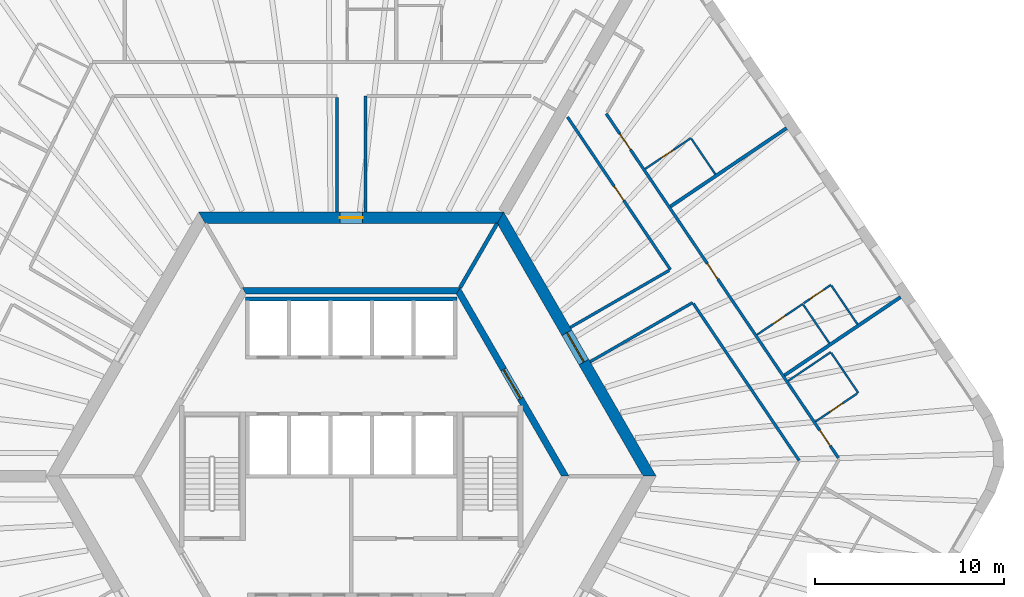
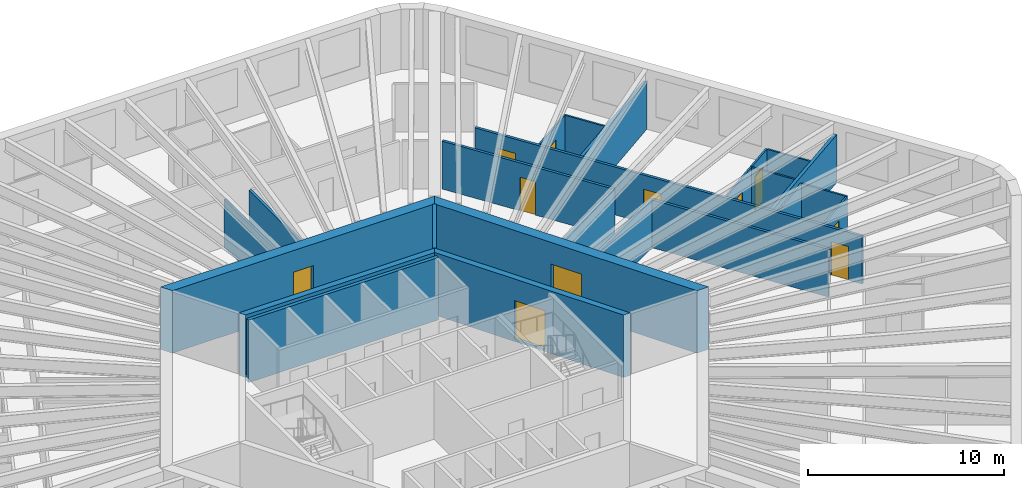
# One storey, part 9 of 12: 24 walls, 11 doors, 11 openings.
"""IFC4 building model written with IfcOpenShell, lengths in metres."""

from ifc_helpers import new_model, si_unit, direction, frame, frame_2d, origin, place, context, subcontext, project, spatial, polyline, rectangle, outline, extrude, material, layer, layer_set, type_object, element, fill, save


model = new_model("IFC4")

# Units and contexts
model_context = context("Model", 3, precision=1e-05, world=origin(), true_north=direction((0.0, 1.0)))
body_context = subcontext(model_context, "Body", "Model", "MODEL_VIEW")
ifc_project = project(units=[si_unit("LENGTHUNIT", "METRE"), si_unit("AREAUNIT", "SQUARE_METRE"), si_unit("VOLUMEUNIT", "CUBIC_METRE"), si_unit("PLANEANGLEUNIT", "RADIAN"), si_unit("MASSUNIT", "GRAM", prefix="KILO")], contexts=[model_context])

# Site, building, storey
site_placement = place(None, origin())
site = spatial("IfcSite", under=ifc_project, at=site_placement, CompositionType="ELEMENT")
building_placement = place(site_placement, origin())
building = spatial("IfcBuilding", under=site, at=building_placement, Name="Tarnside Tower", CompositionType="ELEMENT")
storey_placement = place(building_placement, frame((0.0, 0.0, 64.800048828125)))
storey = spatial("IfcBuildingStorey", under=building, at=storey_placement, Name="L13", CompositionType="ELEMENT", Elevation=64.800048828125)

# Walls
ifc_material_1 = material(Name="Gypsum board partition on steel studs", Category="steel")
ifc_layer_1 = layer(ifc_material_1, 0.10009765625)
ifc_layer_set_1 = layer_set([ifc_layer_1], Name="Bathroom wall 100")
wall_type_1 = type_object("IfcWallType", Name="Bathroom wall 100", PredefinedType="PARTITIONING", material=ifc_layer_set_1)
wall_1_placement = place(storey_placement, frame((23.15869140625, 5.052978515625, 0.0), z_axis=(0.0, 0.0, 1.0), x_axis=(0.829047014003, 0.559178905694, 0.0)))
element("IfcWall", 1, at=wall_1_placement, inside=storey, type_object=wall_type_1, Name="Bathroom wall 03138", PredefinedType="PARTITIONING", context=body_context, shape_type="SweptSolid", body=[
    extrude(rectangle(XDim=2.724853515625, YDim=0.10009765625, at=frame_2d((1.3623046875, 0.0))), origin(), (0.0, 0.0, 1.0), 2.98779296875),
])
wall_2_placement = place(storey_placement, frame((25.44580078125, 6.535400390625, 0.0), z_axis=(0.0, 0.0, 1.0), x_axis=(0.559176864802, -0.829048390548, 0.0)))
element("IfcWall", 2, at=wall_2_placement, inside=storey, type_object=wall_type_1, Name="Bathroom wall 03139", PredefinedType="PARTITIONING", context=body_context, shape_type="SweptSolid", body=[
    extrude(rectangle(XDim=2.55029296875, YDim=0.10009765625, at=frame_2d((1.275146484375, 0.0))), origin(), (0.0, 0.0, 1.0), 2.98779296875),
])

# Wall, opening, door
wall_3_placement = place(storey_placement, frame((26.830322265625, 4.393310546875, 0.0), z_axis=(0.0, 0.0, 1.0), x_axis=(-0.82904753069, -0.559178139645, 0.0)))
wall_3 = element("IfcWall", 3, at=wall_3_placement, inside=storey, type_object=wall_type_1, Name="Bathroom wall 03140", PredefinedType="PARTITIONING", context=body_context, shape_type="SweptSolid", body=[
    extrude(rectangle(XDim=2.675048828125, YDim=0.10009765625, at=frame_2d((1.33740234375, 0.0))), origin(), (0.0, 0.0, 1.0), 2.98779296875),
])
opening_1_placement = place(wall_3_placement, frame((0.949951171875, 0.0, 0.0)))
opening_1 = element("IfcOpeningElement", 4, at=opening_1_placement, cuts=wall_3, Name="Opening D-B1", PredefinedType="OPENING", context=body_context, shape_type="SweptSolid", body=[
    extrude(rectangle(XDim=0.800048828125, YDim=2.10009765625, at=frame_2d((0.39990234375, 1.050048828125))), frame((0.0, 0.06005859375, 0.0), z_axis=(0.0, -1.0, 0.0), x_axis=(1.0, 0.0, 0.0)), (0.0, 0.0, 1.0), 0.1201171875),
])
ifc_material_2 = material(Name="Timber door leaf", Category="wood")
door_type_1 = type_object("IfcDoorType", Name="Bathroom door 800", OperationType="NOTDEFINED", PredefinedType="DOOR", material=ifc_material_2)
door_1_placement = place(opening_1_placement, origin())
door_1 = element("IfcDoor", 5, at=door_1_placement, inside=storey, type_object=door_type_1, Name="Bathroom door 03033", OperationType="SINGLE_SWING_LEFT", OverallHeight=2.10009765625, OverallWidth=0.800048828125, PredefinedType="DOOR", context=body_context, shape_type="SweptSolid", body=[
    extrude(rectangle(XDim=0.800048828125, YDim=2.10009765625, at=frame_2d((0.39990234375, 1.050048828125))), frame((0.0, 0.02490234375, 0.0), z_axis=(0.0, -1.0, 0.0), x_axis=(1.0, 0.0, 0.0)), (0.0, 0.0, 1.0), 0.050048828125),
])
fill(opening_1, door_1)

wall_4_placement = place(storey_placement, frame((21.509033203125, 7.49853515625, 0.0), z_axis=(0.0, 0.0, 1.0), x_axis=(0.829033436212, 0.559199035802, 0.0)))
wall_4 = element("IfcWall", 6, at=wall_4_placement, inside=storey, type_object=wall_type_1, Name="Bathroom wall 03144", PredefinedType="PARTITIONING", context=body_context, shape_type="SweptSolid", body=[
    extrude(rectangle(XDim=2.925048828125, YDim=0.10009765625, at=frame_2d((1.46240234375, 0.0))), origin(), (0.0, 0.0, 1.0), 2.98779296875),
])
opening_2_placement = place(wall_4_placement, frame((1.02490234375, 0.0, 0.0)))
opening_2 = element("IfcOpeningElement", 7, at=opening_2_placement, cuts=wall_4, Name="Opening D-B1", PredefinedType="OPENING", context=body_context, shape_type="SweptSolid", body=[
    extrude(rectangle(XDim=0.800048828125, YDim=2.10009765625, at=frame_2d((0.39990234375, 1.050048828125))), frame((0.0, 0.06005859375, 0.0), z_axis=(0.0, -1.0, 0.0), x_axis=(1.0, 0.0, 0.0)), (0.0, 0.0, 1.0), 0.1201171875),
])
door_2_placement = place(opening_2_placement, origin())
door_2 = element("IfcDoor", 8, at=door_2_placement, inside=storey, type_object=door_type_1, Name="Bathroom door 03035", OperationType="SINGLE_SWING_RIGHT", OverallHeight=2.10009765625, OverallWidth=0.800048828125, PredefinedType="DOOR", context=body_context, shape_type="SweptSolid", body=[
    extrude(rectangle(XDim=0.800048828125, YDim=2.10009765625, at=frame_2d((0.39990234375, 1.050048828125))), frame((0.0, 0.02490234375, 0.0), z_axis=(0.0, -1.0, 0.0), x_axis=(1.0, 0.0, 0.0)), (0.0, 0.0, 1.0), 0.050048828125),
])
fill(opening_2, door_2)

# Wall
wall_5_placement = place(storey_placement, frame((25.337646484375, 7.053466796875, 0.0), z_axis=(0.0, 0.0, 1.0), x_axis=(-0.559249542518, 0.82899936622, 0.0)))
element("IfcWall", 9, at=wall_5_placement, inside=storey, type_object=wall_type_1, Name="Bathroom wall 03149", PredefinedType="PARTITIONING", context=body_context, shape_type="SweptSolid", body=[
    extrude(rectangle(XDim=2.4599609375, YDim=0.10009765625, at=frame_2d((1.22998046875, 0.0))), origin(), (0.0, 0.0, 1.0), 2.98779296875),
])

# Wall, opening, door
wall_6_placement = place(storey_placement, frame((15.58154296875, 16.286376953125, 0.0), z_axis=(0.0, 0.0, 1.0), x_axis=(0.829033436212, 0.559199035802, 0.0)))
wall_6 = element("IfcWall", 10, at=wall_6_placement, inside=storey, type_object=wall_type_1, Name="Bathroom wall 03150", PredefinedType="PARTITIONING", context=body_context, shape_type="SweptSolid", body=[
    extrude(rectangle(XDim=2.925048828125, YDim=0.10009765625, at=frame_2d((1.46240234375, 0.0))), origin(), (0.0, 0.0, 1.0), 2.98779296875),
])
opening_3_placement = place(wall_6_placement, frame((1.02490234375, 0.0, 0.0)))
opening_3 = element("IfcOpeningElement", 11, at=opening_3_placement, cuts=wall_6, Name="Opening D-B1", PredefinedType="OPENING", context=body_context, shape_type="SweptSolid", body=[
    extrude(rectangle(XDim=0.800048828125, YDim=2.10009765625, at=frame_2d((0.39990234375, 1.050048828125))), frame((0.0, 0.06005859375, 0.0), z_axis=(0.0, -1.0, 0.0), x_axis=(1.0, 0.0, 0.0)), (0.0, 0.0, 1.0), 0.1201171875),
])
door_3_placement = place(opening_3_placement, origin())
door_3 = element("IfcDoor", 12, at=door_3_placement, inside=storey, type_object=door_type_1, Name="Bathroom door 03038", OperationType="SINGLE_SWING_RIGHT", OverallHeight=2.10009765625, OverallWidth=0.800048828125, PredefinedType="DOOR", context=body_context, shape_type="SweptSolid", body=[
    extrude(rectangle(XDim=0.800048828125, YDim=2.10009765625, at=frame_2d((0.39990234375, 1.050048828125))), frame((0.0, 0.02490234375, 0.0), z_axis=(0.0, -1.0, 0.0), x_axis=(1.0, 0.0, 0.0)), (0.0, 0.0, 1.0), 0.050048828125),
])
fill(opening_3, door_3)

# Wall
wall_7_placement = place(storey_placement, frame((18.034423828125, 17.880615234375, 0.0), z_axis=(0.0, 0.0, 1.0), x_axis=(0.559253906445, -0.828996422264, 0.0)))
element("IfcWall", 13, at=wall_7_placement, inside=storey, type_object=wall_type_1, Name="Bathroom wall 03151", PredefinedType="PARTITIONING", context=body_context, shape_type="SweptSolid", body=[
    extrude(rectangle(XDim=2.260009765625, YDim=0.10009765625, at=frame_2d((1.1298828125, 0.0))), origin(), (0.0, 0.0, 1.0), 2.98779296875),
])

# Wall, opening, door
ifc_material_3 = material(Name="Concrete C50/60", Category="concrete")
ifc_layer_2 = layer(ifc_material_3, 0.35009765625)
ifc_layer_set_2 = layer_set([ifc_layer_2], Name="Core block wall 350 C50/60")
wall_type_2 = type_object("IfcWallType", Name="Core block wall 350 C50/60", PredefinedType="SHEAR", material=ifc_layer_set_2)
wall_8_placement = place(storey_placement, frame((11.344970703125, 0.0, -0.150146484375), z_axis=(0.0, 0.0, 1.0), x_axis=(-0.499995046907, 0.866028263435, 0.0)))
wall_8 = element("IfcWall", 14, at=wall_8_placement, inside=storey, type_object=wall_type_2, Name="L13 core block wall face 6", PredefinedType="SHEAR", context=body_context, shape_type="SweptSolid", body=[
    extrude(outline(polyline([(-0.10107421875, -0.175048828125), (11.44580078125, -0.175048828125), (11.24365234375, 0.175048828125), (0.10107421875, 0.175048828125), (-0.10107421875, -0.175048828125)])), origin(), (0.0, 0.0, 1.0), 3.900146484375),
])
opening_4_placement = place(wall_8_placement, frame((4.74365234375, 0.0, 0.14990234375)))
opening_4 = element("IfcOpeningElement", 15, at=opening_4_placement, cuts=wall_8, Name="Opening CD-LOB", PredefinedType="OPENING", context=body_context, shape_type="SweptSolid", body=[
    extrude(rectangle(XDim=1.800048828125, YDim=2.39990234375, at=frame_2d((0.89990234375, 1.199951171875))), frame((0.0, 0.18505859375, 0.0), z_axis=(0.0, -1.0, 0.0), x_axis=(1.0, 0.0, 0.0)), (0.0, 0.0, 1.0), 0.3701171875),
])
ifc_material_4 = material(Name="Steel fire door", Category="steel")
door_type_2 = type_object("IfcDoorType", Name="Lobby double door FD30S 1800x2400", OperationType="NOTDEFINED", PredefinedType="DOOR", material=ifc_material_4)
door_4_placement = place(opening_4_placement, origin())
door_4 = element("IfcDoor", 16, at=door_4_placement, inside=storey, type_object=door_type_2, Name="L13 lobby block door P2", OperationType="DOUBLE_DOOR_SINGLE_SWING", OverallHeight=2.39990234375, OverallWidth=1.800048828125, PredefinedType="DOOR", context=body_context, shape_type="SweptSolid", body=[
    extrude(rectangle(XDim=1.800048828125, YDim=2.39990234375, at=frame_2d((0.89990234375, 1.199951171875))), frame((0.0, 0.02490234375, 0.0), z_axis=(0.0, -1.0, 0.0), x_axis=(1.0, 0.0, 0.0)), (0.0, 0.0, 1.0), 0.050048828125),
])
fill(opening_4, door_4)

# Wall
wall_9_placement = place(storey_placement, frame((5.672607421875, 9.824951171875, -0.150146484375), z_axis=(0.0, 0.0, 1.0), x_axis=(-1.0, 0.0, 0.0)))
element("IfcWall", 17, at=wall_9_placement, inside=storey, type_object=wall_type_2, Name="L13 core block wall face 1", PredefinedType="SHEAR", context=body_context, shape_type="SweptSolid", body=[
    extrude(outline(polyline([(-0.10107421875, -0.175048828125), (11.4462890625, -0.175048828125), (11.244140625, 0.175048828125), (0.10107421875, 0.175048828125), (-0.10107421875, -0.175048828125)])), origin(), (0.0, 0.0, 1.0), 3.900146484375),
])

# Wall, opening, door
ifc_material_5 = material(Name="Concrete C80/95", Category="concrete")
ifc_layer_3 = layer(ifc_material_5, 0.60009765625)
ifc_layer_set_3 = layer_set([ifc_layer_3], Name="Core wall Z1 600 C80/95")
wall_type_3 = type_object("IfcWallType", Name="Core wall Z1 600 C80/95", PredefinedType="SHEAR", material=ifc_layer_set_3)
wall_10_placement = place(storey_placement, frame((15.8193359375, 0.0, -0.150146484375), z_axis=(0.0, 0.0, 1.0), x_axis=(-0.499999880136, 0.866025472988, 0.0)))
wall_10 = element("IfcWall", 18, at=wall_10_placement, inside=storey, type_object=wall_type_3, Name="L13 core wall face 6", PredefinedType="SHEAR", context=body_context, shape_type="SweptSolid", body=[
    extrude(outline(polyline([(-0.17333984375, -0.300048828125), (15.99267578125, -0.300048828125), (15.64599609375, 0.300048828125), (0.17333984375, 0.300048828125), (-0.17333984375, -0.300048828125)])), origin(), (0.0, 0.0, 1.0), 3.900146484375),
])
opening_5_placement = place(wall_10_placement, frame((6.980712890625, 0.0, 0.14990234375)))
opening_5 = element("IfcOpeningElement", 19, at=opening_5_placement, cuts=wall_10, Name="Opening CD-LOB", PredefinedType="OPENING", context=body_context, shape_type="SweptSolid", body=[
    extrude(rectangle(XDim=1.800048828125, YDim=2.39990234375, at=frame_2d((0.89990234375, 1.199951171875))), frame((0.0, 0.31005859375, 0.0), z_axis=(0.0, -1.0, 0.0), x_axis=(1.0, 0.0, 0.0)), (0.0, 0.0, 1.0), 0.6201171875),
])
door_5_placement = place(opening_5_placement, origin())
door_5 = element("IfcDoor", 20, at=door_5_placement, inside=storey, type_object=door_type_2, Name="L13 core door P2", OperationType="DOUBLE_DOOR_SINGLE_SWING", OverallHeight=2.39990234375, OverallWidth=1.800048828125, PredefinedType="DOOR", context=body_context, shape_type="SweptSolid", body=[
    extrude(rectangle(XDim=1.800048828125, YDim=2.39990234375, at=frame_2d((0.89990234375, 1.199951171875))), frame((0.0, 0.02490234375, 0.0), z_axis=(0.0, -1.0, 0.0), x_axis=(1.0, 0.0, 0.0)), (0.0, 0.0, 1.0), 0.050048828125),
])
fill(opening_5, door_5)

wall_11_placement = place(storey_placement, frame((7.90966796875, 13.699951171875, -0.150146484375), z_axis=(0.0, 0.0, 1.0), x_axis=(-1.0, 0.0, 0.0)))
wall_11 = element("IfcWall", 21, at=wall_11_placement, inside=storey, type_object=wall_type_3, Name="L13 core wall face 1", PredefinedType="SHEAR", context=body_context, shape_type="SweptSolid", body=[
    extrude(outline(polyline([(-0.17333984375, -0.300048828125), (15.99267578125, -0.300048828125), (15.64599609375, 0.300048828125), (0.17333984375, 0.300048828125), (-0.17333984375, -0.300048828125)])), origin(), (0.0, 0.0, 1.0), 3.900146484375),
])
opening_6_placement = place(wall_11_placement, frame((7.309814453125, 0.0, 0.14990234375)))
opening_6 = element("IfcOpeningElement", 22, at=opening_6_placement, cuts=wall_11, Name="Opening CD-RSR", PredefinedType="OPENING", context=body_context, shape_type="SweptSolid", body=[
    extrude(rectangle(XDim=1.199951171875, YDim=2.39990234375, at=frame_2d((0.60009765625, 1.199951171875))), frame((0.0, 0.31005859375, 0.0), z_axis=(0.0, -1.0, 0.0), x_axis=(1.0, 0.0, 0.0)), (0.0, 0.0, 1.0), 0.6201171875),
])
door_type_3 = type_object("IfcDoorType", Name="Riser door FD60 1200x2400", OperationType="NOTDEFINED", PredefinedType="DOOR", material=ifc_material_4)
door_6_placement = place(opening_6_placement, origin())
door_6 = element("IfcDoor", 23, at=door_6_placement, inside=storey, type_object=door_type_3, Name="L13 core door S5", OperationType="SINGLE_SWING_LEFT", OverallHeight=2.39990234375, OverallWidth=1.199951171875, PredefinedType="DOOR", context=body_context, shape_type="SweptSolid", body=[
    extrude(rectangle(XDim=1.199951171875, YDim=2.39990234375, at=frame_2d((0.60009765625, 1.199951171875))), frame((0.0, 0.02490234375, 0.0), z_axis=(0.0, -1.0, 0.0), x_axis=(1.0, 0.0, 0.0)), (0.0, 0.0, 1.0), 0.050048828125),
])
fill(opening_6, door_6)

# Walls
ifc_layer_4 = layer(ifc_material_1, 0.14990234375)
ifc_layer_set_4 = layer_set([ifc_layer_4], Name="Corridor wall 150 EI 60")
wall_type_4 = type_object("IfcWallType", Name="Corridor wall 150 EI 60", PredefinedType="PARTITIONING", material=ifc_layer_set_4)
wall_12_placement = place(storey_placement, frame((-0.75, 20.074951171875, 0.0), z_axis=(0.0, 0.0, 1.0), x_axis=(0.0, -1.0, 0.0)))
element("IfcWall", 24, at=wall_12_placement, inside=storey, type_object=wall_type_4, Name="Corridor wall 03020", PredefinedType="PARTITIONING", context=body_context, shape_type="SweptSolid", body=[
    extrude(rectangle(XDim=6.074951171875, YDim=0.14990234375, at=frame_2d((3.03759765625, 0.0))), origin(), (0.0, 0.0, 1.0), 2.98779296875),
])
wall_13_placement = place(storey_placement, frame((0.75, 14.0, 0.0), z_axis=(0.0, 0.0, 1.0), x_axis=(0.0, 1.0, 0.0)))
element("IfcWall", 25, at=wall_13_placement, inside=storey, type_object=wall_type_4, Name="Corridor wall 03021", PredefinedType="PARTITIONING", context=body_context, shape_type="SweptSolid", body=[
    extrude(rectangle(XDim=6.14990234375, YDim=0.14990234375, at=frame_2d((3.074951171875, 0.0))), origin(), (0.0, 0.0, 1.0), 2.98779296875),
])

# Wall, openings, doors
wall_14_placement = place(storey_placement, frame((25.820556640625, 0.972412109375, 0.0), z_axis=(0.0, 0.0, 1.0), x_axis=(-0.559201442833, 0.829031812619, 0.0)))
wall_14 = element("IfcWall", 26, at=wall_14_placement, inside=storey, type_object=wall_type_4, Name="Corridor wall 03053", PredefinedType="PARTITIONING", context=body_context, shape_type="SweptSolid", body=[
    extrude(rectangle(XDim=22.001953125, YDim=0.14990234375, at=frame_2d((11.0009765625, 0.0))), origin(), (0.0, 0.0, 1.0), 2.98779296875),
])
opening_7_placement = place(wall_14_placement, frame((0.76904296875, 0.0, 0.0)))
opening_7 = element("IfcOpeningElement", 27, at=opening_7_placement, cuts=wall_14, Name="Opening D-E1", PredefinedType="OPENING", context=body_context, shape_type="SweptSolid", body=[
    extrude(rectangle(XDim=1.0, YDim=2.10009765625, at=frame_2d((0.5, 1.050048828125))), frame((0.0, 0.0849609375, 0.0), z_axis=(0.0, -1.0, 0.0), x_axis=(1.0, 0.0, 0.0)), (0.0, 0.0, 1.0), 0.169921875),
])
opening_8_placement = place(wall_14_placement, frame((11.42138671875, 0.0, 0.0)))
opening_8 = element("IfcOpeningElement", 28, at=opening_8_placement, cuts=wall_14, Name="Opening D-E1", PredefinedType="OPENING", context=body_context, shape_type="SweptSolid", body=[
    extrude(rectangle(XDim=1.0, YDim=2.10009765625, at=frame_2d((0.5, 1.050048828125))), frame((0.0, 0.0849609375, 0.0), z_axis=(0.0, -1.0, 0.0), x_axis=(1.0, 0.0, 0.0)), (0.0, 0.0, 1.0), 0.169921875),
])
opening_9_placement = place(wall_14_placement, frame((19.71142578125, 0.0, 0.0)))
opening_9 = element("IfcOpeningElement", 29, at=opening_9_placement, cuts=wall_14, Name="Opening D-E1", PredefinedType="OPENING", context=body_context, shape_type="SweptSolid", body=[
    extrude(rectangle(XDim=1.0, YDim=2.10009765625, at=frame_2d((0.5, 1.050048828125))), frame((0.0, 0.0849609375, 0.0), z_axis=(0.0, -1.0, 0.0), x_axis=(1.0, 0.0, 0.0)), (0.0, 0.0, 1.0), 0.169921875),
])
door_type_4 = type_object("IfcDoorType", Name="Unit entrance door 1000 FD30S", OperationType="NOTDEFINED", PredefinedType="DOOR", material=ifc_material_2)
door_7_placement = place(opening_7_placement, origin())
door_7 = element("IfcDoor", 30, at=door_7_placement, inside=storey, type_object=door_type_4, Name="Unit door 03032", OperationType="SINGLE_SWING_RIGHT", OverallHeight=2.10009765625, OverallWidth=1.0, PredefinedType="DOOR", context=body_context, shape_type="SweptSolid", body=[
    extrude(rectangle(XDim=1.0, YDim=2.10009765625, at=frame_2d((0.5, 1.050048828125))), frame((0.0, 0.02490234375, 0.0), z_axis=(0.0, -1.0, 0.0), x_axis=(1.0, 0.0, 0.0)), (0.0, 0.0, 1.0), 0.050048828125),
])
fill(opening_7, door_7)
door_8_placement = place(opening_8_placement, origin())
door_8 = element("IfcDoor", 31, at=door_8_placement, inside=storey, type_object=door_type_4, Name="Unit door 03034", OperationType="SINGLE_SWING_LEFT", OverallHeight=2.10009765625, OverallWidth=1.0, PredefinedType="DOOR", context=body_context, shape_type="SweptSolid", body=[
    extrude(rectangle(XDim=1.0, YDim=2.10009765625, at=frame_2d((0.5, 1.050048828125))), frame((0.0, 0.02490234375, 0.0), z_axis=(0.0, -1.0, 0.0), x_axis=(1.0, 0.0, 0.0)), (0.0, 0.0, 1.0), 0.050048828125),
])
fill(opening_8, door_8)
door_9_placement = place(opening_9_placement, origin())
door_9 = element("IfcDoor", 32, at=door_9_placement, inside=storey, type_object=door_type_4, Name="Unit door 03037", OperationType="SINGLE_SWING_RIGHT", OverallHeight=2.10009765625, OverallWidth=1.0, PredefinedType="DOOR", context=body_context, shape_type="SweptSolid", body=[
    extrude(rectangle(XDim=1.0, YDim=2.10009765625, at=frame_2d((0.5, 1.050048828125))), frame((0.0, 0.02490234375, 0.0), z_axis=(0.0, -1.0, 0.0), x_axis=(1.0, 0.0, 0.0)), (0.0, 0.0, 1.0), 0.050048828125),
])
fill(opening_9, door_9)

# Walls
wall_15_placement = place(storey_placement, frame((12.663818359375, 6.065673828125, 0.0), z_axis=(0.0, 0.0, 1.0), x_axis=(0.866036561919, 0.499980673046, 0.0)))
element("IfcWall", 33, at=wall_15_placement, inside=storey, type_object=wall_type_4, Name="Corridor wall 03063", PredefinedType="PARTITIONING", context=body_context, shape_type="SweptSolid", body=[
    extrude(rectangle(XDim=6.274658203125, YDim=0.14990234375, at=frame_2d((3.13720703125, 0.0))), origin(), (0.0, 0.0, 1.0), 2.98779296875),
])
wall_16_placement = place(storey_placement, frame((18.139892578125, 9.140625, 0.0), z_axis=(0.0, 0.0, 1.0), x_axis=(0.55918799196, -0.829040885389, 0.0)))
element("IfcWall", 34, at=wall_16_placement, inside=storey, type_object=wall_type_4, Name="Corridor wall 03064", PredefinedType="PARTITIONING", context=body_context, shape_type="SweptSolid", body=[
    extrude(rectangle(XDim=10.025146484375, YDim=0.14990234375, at=frame_2d((5.0126953125, 0.0))), origin(), (0.0, 0.0, 1.0), 2.98779296875),
])

# Wall, opening, door
wall_17_placement = place(storey_placement, frame((11.464599609375, 19.037109375, 0.0), z_axis=(0.0, 0.0, 1.0), x_axis=(0.559196064773, -0.829035440221, 0.0)))
wall_17 = element("IfcWall", 35, at=wall_17_placement, inside=storey, type_object=wall_type_4, Name="Corridor wall 03070", PredefinedType="PARTITIONING", context=body_context, shape_type="SweptSolid", body=[
    extrude(rectangle(XDim=9.757080078125, YDim=0.14990234375, at=frame_2d((4.87841796875, 0.0))), origin(), (0.0, 0.0, 1.0), 2.98779296875),
])
opening_10_placement = place(wall_17_placement, frame((4.428466796875, 0.0, 0.0)))
opening_10 = element("IfcOpeningElement", 36, at=opening_10_placement, cuts=wall_17, Name="Opening D-S1", PredefinedType="OPENING", context=body_context, shape_type="SweptSolid", body=[
    extrude(rectangle(XDim=0.89990234375, YDim=2.10009765625, at=frame_2d((0.449951171875, 1.050048828125))), frame((0.0, 0.0849609375, 0.0), z_axis=(0.0, -1.0, 0.0), x_axis=(1.0, 0.0, 0.0)), (0.0, 0.0, 1.0), 0.169921875),
])
door_type_5 = type_object("IfcDoorType", Name="Service room door 900 FD30S", OperationType="NOTDEFINED", PredefinedType="DOOR", material=ifc_material_2)
door_10_placement = place(opening_10_placement, origin())
door_10 = element("IfcDoor", 37, at=door_10_placement, inside=storey, type_object=door_type_5, Name="Service door 03047", OperationType="SINGLE_SWING_RIGHT", OverallHeight=2.10009765625, OverallWidth=0.89990234375, PredefinedType="DOOR", context=body_context, shape_type="SweptSolid", body=[
    extrude(rectangle(XDim=0.89990234375, YDim=2.10009765625, at=frame_2d((0.449951171875, 1.050048828125))), frame((0.0, 0.02490234375, 0.0), z_axis=(0.0, -1.0, 0.0), x_axis=(1.0, 0.0, 0.0)), (0.0, 0.0, 1.0), 0.050048828125),
])
fill(opening_10, door_10)

# Walls
wall_18_placement = place(storey_placement, frame((16.85546875, 10.91064453125, 0.0), z_axis=(0.0, 0.0, 1.0), x_axis=(-0.866020343444, -0.500008764664, 0.0)))
element("IfcWall", 38, at=wall_18_placement, inside=storey, type_object=wall_type_4, Name="Corridor wall 03071", PredefinedType="PARTITIONING", context=body_context, shape_type="SweptSolid", body=[
    extrude(rectangle(XDim=6.052734375, YDim=0.14990234375, at=frame_2d((3.0263671875, 0.0))), origin(), (0.0, 0.0, 1.0), 2.98779296875),
])
ifc_layer_5 = layer(ifc_material_1, 0.179931640625)
ifc_layer_set_5 = layer_set([ifc_layer_5], Name="Demising wall 180 EI 60")
wall_type_5 = type_object("IfcWallType", Name="Demising wall 180 EI 60", PredefinedType="PARTITIONING", material=ifc_layer_set_5)
for number, where, z_axis, x_axis, name in (
    (39, (29.11865234375, 9.4951171875, 0.0), (0.0, 0.0, 1.0), (-0.829038452737, -0.559191598545, 0.0), "Demising wall 03141"),
    (40, (23.079345703125, 18.44873046875, 0.0), (0.0, 0.0, 1.0), (-0.829038452737, -0.559191598545, 0.0), "Demising wall 03147"),
):
    element("IfcWall", number, at=place(storey_placement, frame(where, z_axis=z_axis, x_axis=x_axis)), inside=storey, type_object=wall_type_5, Name=name, PredefinedType="PARTITIONING", context=body_context, shape_type="SweptSolid", body=[
        extrude(rectangle(XDim=7.42529296875, YDim=0.179931640625, at=frame_2d((3.712646484375, 0.0))), origin(), (0.0, 0.0, 1.0), 2.98779296875),
    ])
ifc_material_6 = material(Name="Concrete C40/50", Category="concrete")
ifc_layer_6 = layer(ifc_material_6, 0.199951171875)
ifc_layer_set_6 = layer_set([ifc_layer_6], Name="Lift shaft wall 200 C40/50")
wall_type_6 = type_object("IfcWallType", Name="Lift shaft wall 200 C40/50", PredefinedType="SHEAR", material=ifc_layer_set_6)
wall_19_placement = place(storey_placement, frame((-5.60009765625, 9.39990234375, -0.25), z_axis=(0.0, 0.0, 1.0), x_axis=(1.0, 0.0, 0.0)))
element("IfcWall", 41, at=wall_19_placement, inside=storey, type_object=wall_type_6, Name="L13 lift shaft back wall R1", PredefinedType="SHEAR", context=body_context, shape_type="SweptSolid", body=[
    extrude(rectangle(XDim=11.2001953125, YDim=0.199951171875, at=frame_2d((5.60009765625, 0.0))), origin(), (0.0, 0.0, 1.0), 3.89990234375),
])
wall_20_placement = place(storey_placement, frame((5.7734375, 10.0, -0.150146484375), z_axis=(0.0, 0.0, 1.0), x_axis=(0.500038251005, 0.86600331843, 0.0)))
element("IfcWall", 42, at=wall_20_placement, inside=storey, type_object=wall_type_6, Name="L13 core partition AR60", PredefinedType="SHEAR", context=body_context, shape_type="SweptSolid", body=[
    extrude(rectangle(XDim=3.926025390625, YDim=0.199951171875, at=frame_2d((1.962890625, 0.0))), origin(), (0.0, 0.0, 1.0), 3.900146484375),
])

# Wall, opening, door
ifc_layer_7 = layer(ifc_material_1, 0.10009765625)
ifc_layer_set_7 = layer_set([ifc_layer_7], Name="Partition 100")
wall_type_7 = type_object("IfcWallType", Name="Partition 100", PredefinedType="PARTITIONING", material=ifc_layer_set_7)
wall_21_placement = place(storey_placement, frame((23.975341796875, 9.162109375, 0.0), z_axis=(0.0, 0.0, 1.0), x_axis=(0.829011970545, 0.559230858138, 0.0)))
wall_21 = element("IfcWall", 43, at=wall_21_placement, inside=storey, type_object=wall_type_7, Name="Partition wall 03145", PredefinedType="PARTITIONING", context=body_context, shape_type="SweptSolid", body=[
    extrude(rectangle(XDim=1.750244140625, YDim=0.10009765625, at=frame_2d((0.875, 0.0))), origin(), (0.0, 0.0, 1.0), 2.98779296875),
])
opening_11_placement = place(wall_21_placement, frame((0.39990234375, 0.0, 0.0)))
opening_11 = element("IfcOpeningElement", 44, at=opening_11_placement, cuts=wall_21, Name="Opening D-I1", PredefinedType="OPENING", context=body_context, shape_type="SweptSolid", body=[
    extrude(rectangle(XDim=0.89990234375, YDim=2.10009765625, at=frame_2d((0.449951171875, 1.050048828125))), frame((0.0, 0.06005859375, 0.0), z_axis=(0.0, -1.0, 0.0), x_axis=(1.0, 0.0, 0.0)), (0.0, 0.0, 1.0), 0.1201171875),
])
door_type_6 = type_object("IfcDoorType", Name="Internal door 900", OperationType="NOTDEFINED", PredefinedType="DOOR", material=ifc_material_2)
door_11_placement = place(opening_11_placement, origin())
door_11 = element("IfcDoor", 45, at=door_11_placement, inside=storey, type_object=door_type_6, Name="Internal door 03036", OperationType="SINGLE_SWING_RIGHT", OverallHeight=2.10009765625, OverallWidth=0.89990234375, PredefinedType="DOOR", context=body_context, shape_type="SweptSolid", body=[
    extrude(rectangle(XDim=0.89990234375, YDim=2.10009765625, at=frame_2d((0.449951171875, 1.050048828125))), frame((0.0, 0.02490234375, 0.0), z_axis=(0.0, -1.0, 0.0), x_axis=(1.0, 0.0, 0.0)), (0.0, 0.0, 1.0), 0.050048828125),
])
fill(opening_11, door_11)

# Wall
wall_22_placement = place(storey_placement, frame((25.454345703125, 10.099365234375, 0.0), z_axis=(0.0, 0.0, 1.0), x_axis=(0.559135322609, -0.829076408427, 0.0)))
element("IfcWall", 46, at=wall_22_placement, inside=storey, type_object=wall_type_7, Name="Partition wall 03146", PredefinedType="PARTITIONING", context=body_context, shape_type="SweptSolid", body=[
    extrude(rectangle(XDim=2.4599609375, YDim=0.10009765625, at=frame_2d((1.22998046875, 0.0))), origin(), (0.0, 0.0, 1.0), 2.98779296875),
])

save(model, "model.ifc")
